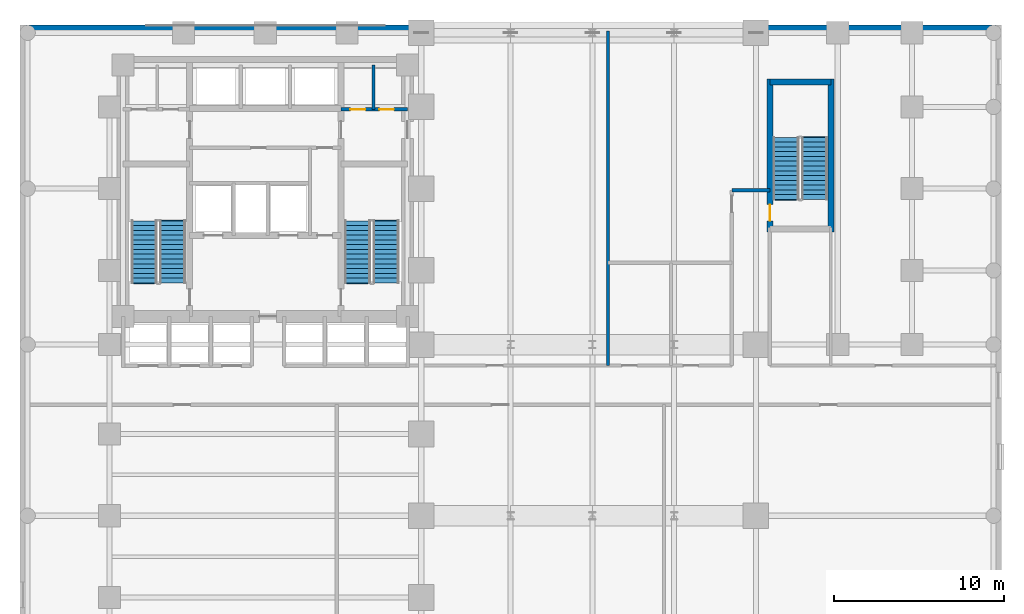
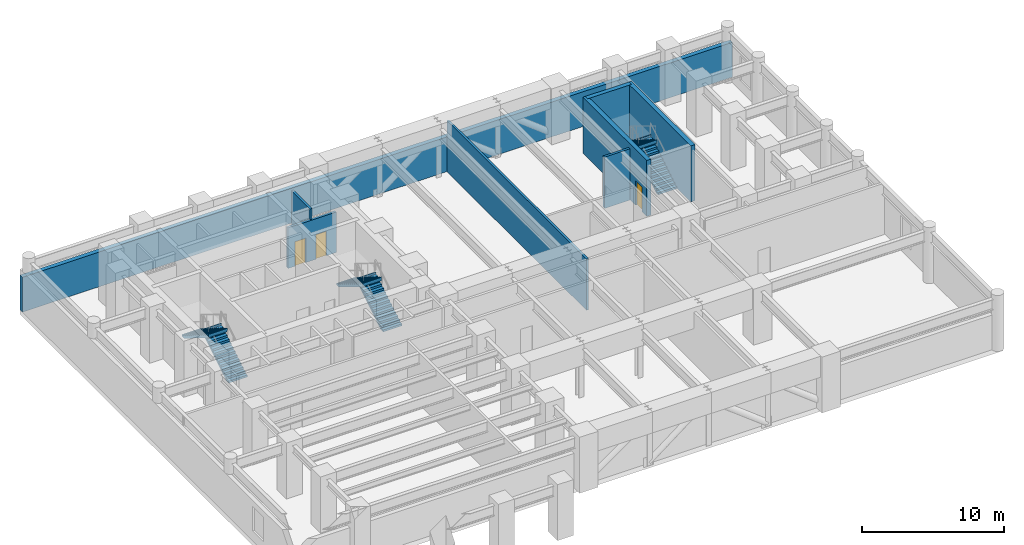
# One storey, part 5 of 8: 8 walls, 6 stair flights, 3 doors, 3 openings, 3 elements without a shape of their own.
"""IFC4 building model written with IfcOpenShell, lengths in metres."""

from ifc_helpers import new_model, si_unit, direction, frame, frame_2d, origin, place, context, subcontext, project, spatial, polyline, rectangle, outline, extrude, material, layer, layer_set, type_object, element, fill, aggregate, save


model = new_model("IFC4")

# Units and contexts
model_context = context("Model", 3, precision=1e-05, world=origin(), true_north=direction((0.0, 1.0)))
body_context = subcontext(model_context, "Body", "Model", "MODEL_VIEW")
ifc_project = project(units=[si_unit("LENGTHUNIT", "METRE"), si_unit("AREAUNIT", "SQUARE_METRE"), si_unit("VOLUMEUNIT", "CUBIC_METRE"), si_unit("PLANEANGLEUNIT", "RADIAN"), si_unit("MASSUNIT", "GRAM", prefix="KILO")], contexts=[model_context])

# Site, building, storey
site_placement = place(None, origin())
site = spatial("IfcSite", under=ifc_project, at=site_placement, CompositionType="ELEMENT")
building_placement = place(site_placement, origin())
building = spatial("IfcBuilding", under=site, at=building_placement, Name="Orvandelia Arch Residences", CompositionType="ELEMENT")
storey_placement = place(building_placement, frame((0.0, 0.0, 14.800048828125)))
storey = spatial("IfcBuildingStorey", under=building, at=storey_placement, Name="L03", CompositionType="ELEMENT", Elevation=14.800048828125)

# Wall, opening, door
ifc_material_1 = material(Name="Concrete C50/60", Category="concrete")
ifc_layer_1 = layer(ifc_material_1, 0.35009765625, Name="Concrete C50/60", Category="concrete")
ifc_layer_set_1 = layer_set([ifc_layer_1], Name="Concrete C50/60")
wall_type_1 = type_object("IfcWallType", Name="WL-CORE-350", PredefinedType="SHEAR", material=ifc_layer_set_1)
wall_1_placement = place(storey_placement, frame((44.02001953125, 35.864990234375, 0.0), z_axis=(0.0, 0.0, 1.0), x_axis=(0.0, 1.0, 0.0)))
wall_1 = element("IfcWall", 1, at=wall_1_placement, inside=storey, type_object=wall_type_1, Name="East Stair Core Shear Wall L03-W", PredefinedType="SHEAR", context=body_context, shape_type="SweptSolid", body=[
    extrude(rectangle(XDim=8.969970703125, YDim=0.35009765625, at=frame_2d((4.48486328125, 0.0))), origin(), (0.0, 0.0, 1.0), 4.800048828125),
])
opening_1_placement = place(wall_1_placement, frame((0.64990234375, 0.0, 0.0)))
opening_1 = element("IfcOpeningElement", 2, at=opening_1_placement, cuts=wall_1, Name="Opening D7", PredefinedType="OPENING", context=body_context, shape_type="SweptSolid", body=[
    extrude(rectangle(XDim=0.949951171875, YDim=2.10009765625, at=frame_2d((0.47509765625, 1.050048828125))), frame((0.0, 0.18505859375, 0.0), z_axis=(0.0, -1.0, 0.0), x_axis=(1.0, 0.0, 0.0)), (0.0, 0.0, 1.0), 0.3701171875),
])
ifc_material_2 = material(Name="Pressurised Stairwell Fire Door")
door_type_1 = type_object("IfcDoorType", Name="DR-STAIR-950", OperationType="NOTDEFINED", PredefinedType="DOOR", material=ifc_material_2)
door_1_placement = place(opening_1_placement, origin())
door_1 = element("IfcDoor", 3, at=door_1_placement, inside=storey, type_object=door_type_1, Name="East Stairwell ST-3 Fire Door L03", OperationType="SINGLE_SWING_LEFT", OverallHeight=2.10009765625, OverallWidth=0.949951171875, PredefinedType="DOOR", context=body_context, shape_type="SweptSolid", body=[
    extrude(rectangle(XDim=0.949951171875, YDim=2.10009765625, at=frame_2d((0.47509765625, 1.050048828125))), frame((0.0, 0.02490234375, 0.0), z_axis=(0.0, -1.0, 0.0), x_axis=(1.0, 0.0, 0.0)), (0.0, 0.0, 1.0), 0.050048828125),
])
fill(opening_1, door_1)

# Walls
wall_2_placement = place(storey_placement, frame((47.60009765625, 35.864990234375, 0.0), z_axis=(0.0, 0.0, 1.0), x_axis=(0.0, 1.0, 0.0)))
element("IfcWall", 4, at=wall_2_placement, inside=storey, type_object=wall_type_1, Name="East Stair Core Shear Wall L03-E", PredefinedType="SHEAR", context=body_context, shape_type="SweptSolid", body=[
    extrude(rectangle(XDim=8.969970703125, YDim=0.35009765625, at=frame_2d((4.48486328125, 0.0))), origin(), (0.0, 0.0, 1.0), 4.800048828125),
])
wall_3_placement = place(storey_placement, frame((44.02001953125, 44.659912109375, 0.0), z_axis=(0.0, 0.0, 1.0), x_axis=(1.0, 0.0, 0.0)))
element("IfcWall", 5, at=wall_3_placement, inside=storey, type_object=wall_type_1, Name="East Stair Core Shear Wall L03-N", PredefinedType="SHEAR", context=body_context, shape_type="SweptSolid", body=[
    extrude(rectangle(XDim=3.580078125, YDim=0.35009765625, at=frame_2d((1.7900390625, 0.0))), origin(), (0.0, 0.0, 1.0), 4.800048828125),
])
ifc_material_3 = material(Name="Fire-Rated Corridor Partition")
ifc_layer_2 = layer(ifc_material_3, 0.199951171875, Name="Fire-Rated Corridor Partition")
ifc_layer_set_2 = layer_set([ifc_layer_2], Name="Fire-Rated Corridor Partition")
wall_type_2 = type_object("IfcWallType", Name="WL-CORR-200", PredefinedType="PARTITIONING", material=ifc_layer_set_2)
wall_4_placement = place(storey_placement, frame((41.780029296875, 38.300048828125, 0.0), z_axis=(0.0, 0.0, 1.0), x_axis=(1.0, 0.0, 0.0)))
element("IfcWall", 6, at=wall_4_placement, inside=storey, type_object=wall_type_2, Name="Interior Partition Wall WL-L03-BRG-SN", PredefinedType="PARTITIONING", context=body_context, shape_type="SweptSolid", body=[
    extrude(rectangle(XDim=2.239990234375, YDim=0.199951171875, at=frame_2d((1.1201171875, 0.0))), origin(), (0.0, 0.0, 1.0), 4.39990234375),
])
ifc_material_4 = material(Name="Precast concrete C40/50", Category="concrete")
ifc_layer_3 = layer(ifc_material_4, 0.35009765625, Name="Precast concrete C40/50", Category="concrete")
ifc_layer_set_3 = layer_set([ifc_layer_3], Name="Precast concrete C40/50")
wall_type_3 = type_object("IfcWallType", Name="WL-EXT-POD-350", PredefinedType="STANDARD", material=ifc_layer_set_3)
wall_5_placement = place(storey_placement, frame((0.0, 47.824951171875, 0.0), z_axis=(0.0, 0.0, 1.0), x_axis=(1.0, 0.0, 0.0)))
element("IfcWall", 7, at=wall_5_placement, inside=storey, type_object=wall_type_3, Name="Coral-Limestone Precast Facade Wall L03-001", PredefinedType="STANDARD", context=body_context, shape_type="SweptSolid", body=[
    extrude(rectangle(XDim=57.60009765625, YDim=0.35009765625, at=frame_2d((28.800048828125, 0.0))), origin(), (0.0, 0.0, 1.0), 2.97998046875),
])

# Wall, openings, doors
ifc_material_5 = material(Name="Fire-Rated Shaft Enclosure Wall")
ifc_layer_4 = layer(ifc_material_5, 0.199951171875, Name="Fire-Rated Shaft Enclosure Wall")
ifc_layer_set_4 = layer_set([ifc_layer_4], Name="Fire-Rated Shaft Enclosure Wall")
wall_type_4 = type_object("IfcWallType", Name="WL-SHAFT-200", PredefinedType="POLYGONAL", material=ifc_layer_set_4)
wall_6_placement = place(storey_placement, frame((18.840087890625, 43.050048828125, 0.0), z_axis=(0.0, 0.0, 1.0), x_axis=(1.0, 0.0, 0.0)))
wall_6 = element("IfcWall", 8, at=wall_6_placement, inside=storey, type_object=wall_type_4, Name="Interior Partition Wall WL-L03-HLE-N", PredefinedType="POLYGONAL", context=body_context, shape_type="SweptSolid", body=[
    extrude(rectangle(XDim=3.909912109375, YDim=0.199951171875, at=frame_2d((1.955078125, 0.0))), origin(), (0.0, 0.0, 1.0), 3.47998046875),
])
opening_2_placement = place(wall_6_placement, frame((0.550048828125, 0.0, 0.0)))
opening_2 = element("IfcOpeningElement", 9, at=opening_2_placement, cuts=wall_6, Name="Opening D5", PredefinedType="OPENING", context=body_context, shape_type="SweptSolid", body=[
    extrude(rectangle(XDim=0.8798828125, YDim=2.10009765625, at=frame_2d((0.43994140625, 1.050048828125))), frame((0.0, 0.10986328125, 0.0), z_axis=(0.0, -1.0, 0.0), x_axis=(1.0, 0.0, 0.0)), (0.0, 0.0, 1.0), 0.219970703125),
])
opening_3_placement = place(wall_6_placement, frame((2.25, 0.0, 0.0)))
opening_3 = element("IfcOpeningElement", 10, at=opening_3_placement, cuts=wall_6, Name="Opening D4", PredefinedType="OPENING", context=body_context, shape_type="SweptSolid", body=[
    extrude(rectangle(XDim=0.860107421875, YDim=2.10009765625, at=frame_2d((0.43017578125, 1.050048828125))), frame((0.0, 0.10986328125, 0.0), z_axis=(0.0, -1.0, 0.0), x_axis=(1.0, 0.0, 0.0)), (0.0, 0.0, 1.0), 0.219970703125),
])
ifc_material_6 = material(Name="Painted Galvanised Steel Service Door", Category="steel")
door_type_2 = type_object("IfcDoorType", Name="DR-SRV-880", OperationType="NOTDEFINED", PredefinedType="DOOR", material=ifc_material_6)
door_2_placement = place(opening_2_placement, origin())
door_2 = element("IfcDoor", 11, at=door_2_placement, inside=storey, type_object=door_type_2, Name="DR-L03-CSB1", OperationType="SINGLE_SWING_LEFT", OverallHeight=2.10009765625, OverallWidth=0.8798828125, PredefinedType="DOOR", context=body_context, shape_type="SweptSolid", body=[
    extrude(rectangle(XDim=0.8798828125, YDim=2.10009765625, at=frame_2d((0.43994140625, 1.050048828125))), frame((0.0, 0.02490234375, 0.0), z_axis=(0.0, -1.0, 0.0), x_axis=(1.0, 0.0, 0.0)), (0.0, 0.0, 1.0), 0.050048828125),
])
fill(opening_2, door_2)
ifc_material_7 = material(Name="Moisture-Sealed Timber Bathroom Door", Category="wood")
door_type_3 = type_object("IfcDoorType", Name="DR-WET-900", OperationType="NOTDEFINED", PredefinedType="DOOR", material=ifc_material_7)
door_3_placement = place(opening_3_placement, origin())
door_3 = element("IfcDoor", 12, at=door_3_placement, inside=storey, type_object=door_type_3, Name="DR-L03-CSB2", OperationType="SINGLE_SWING_RIGHT", OverallHeight=2.10009765625, OverallWidth=0.860107421875, PredefinedType="DOOR", context=body_context, shape_type="SweptSolid", body=[
    extrude(rectangle(XDim=0.860107421875, YDim=2.10009765625, at=frame_2d((0.43017578125, 1.050048828125))), frame((0.0, 0.02490234375, 0.0), z_axis=(0.0, -1.0, 0.0), x_axis=(1.0, 0.0, 0.0)), (0.0, 0.0, 1.0), 0.050048828125),
])
fill(opening_3, door_3)

# Walls
ifc_material_8 = material(Name="Moisture-Resistant Plumbing Wall")
ifc_layer_5 = layer(ifc_material_8, 0.179931640625, Name="Moisture-Resistant Plumbing Wall")
ifc_layer_set_5 = layer_set([ifc_layer_5], Name="Moisture-Resistant Plumbing Wall")
wall_type_5 = type_object("IfcWallType", Name="WL-WET-180", PredefinedType="PLUMBINGWALL", material=ifc_layer_set_5)
wall_7_placement = place(storey_placement, frame((20.75, 43.050048828125, 0.0), z_axis=(0.0, 0.0, 1.0), x_axis=(0.0, 1.0, 0.0)))
element("IfcWall", 13, at=wall_7_placement, inside=storey, type_object=wall_type_5, Name="Interior Partition Wall WL-L03-CSB-1", PredefinedType="PLUMBINGWALL", context=body_context, shape_type="SweptSolid", body=[
    extrude(rectangle(XDim=2.599853515625, YDim=0.179931640625, at=frame_2d((1.2998046875, 0.0))), origin(), (0.0, 0.0, 1.0), 4.39990234375),
])
wall_8_placement = place(storey_placement, frame((34.52001953125, 28.02001953125, 0.0), z_axis=(0.0, 0.0, 1.0), x_axis=(0.0, 1.0, 0.0)))
element("IfcWall", 14, at=wall_8_placement, inside=storey, type_object=wall_type_5, Name="Interior Partition Wall WL-L03-ND1", PredefinedType="PLUMBINGWALL", context=body_context, shape_type="SweptSolid", body=[
    extrude(rectangle(XDim=19.619873046875, YDim=0.179931640625, at=frame_2d((9.81005859375, 0.0))), origin(), (0.0, 0.0, 1.0), 4.39990234375),
])

# Stair, stair flights
ifc_material_9 = material(Name="Concrete C40/50", Category="concrete")
stair_type = type_object("IfcStairType", Name="STAIR-RC-DOGLEG", PredefinedType="HALF_TURN_STAIR", material=ifc_material_9)
stair_1_placement = place(storey_placement, origin())
stair_1 = element("IfcStair", 15, at=stair_1_placement, inside=storey, type_object=stair_type, Name="L03 Protected Exit Stair ST-1", PredefinedType="HALF_TURN_STAIR")
stair_flight_type = type_object("IfcStairFlightType", Name="STFLT-RC-1520", PredefinedType="STRAIGHT", material=ifc_material_9)
stair_flight_1_placement = place(storey_placement, frame((8.9599609375, 32.8701171875, 0.0), z_axis=(0.0, 0.0, 1.0), x_axis=(0.0, 1.0, 0.0)))
stair_flight_1 = element("IfcStairFlight", 16, at=stair_flight_1_placement, type_object=stair_flight_type, Name="ST-1 flight 1", NumberOfRisers=14, NumberOfTreads=13, PredefinedType="STRAIGHT", RiserHeight=0.171428571, TreadLength=0.28, context=body_context, shape_type="SweptSolid", body=[
    extrude(outline(polyline([(0.0, 0.0), (0.0, 0.17138671875), (0.280029296875, 0.17138671875), (0.280029296875, 0.3427734375), (0.56005859375, 0.3427734375), (0.56005859375, 0.514404296875), (0.840087890625, 0.514404296875), (0.840087890625, 0.685791015625), (1.1201171875, 0.685791015625), (1.1201171875, 0.857177734375), (1.39990234375, 0.857177734375), (1.39990234375, 1.028564453125), (1.679931640625, 1.028564453125), (1.679931640625, 1.199951171875), (1.9599609375, 1.199951171875), (1.9599609375, 1.371337890625), (2.239990234375, 1.371337890625), (2.239990234375, 1.54296875), (2.52001953125, 1.54296875), (2.52001953125, 1.71435546875), (2.800048828125, 1.71435546875), (2.800048828125, 1.8857421875), (3.080078125, 1.8857421875), (3.080078125, 2.05712890625), (3.360107421875, 2.05712890625), (3.360107421875, 2.228515625), (3.639892578125, 2.228515625), (3.639892578125, 2.39990234375), (3.699951171875, 2.39990234375), (3.699951171875, 2.219970703125), (3.639892578125, 2.052734375), (0.287109375, 0.0), (0.0, 0.0)])), frame((0.0, 0.760009765625, 0.0), z_axis=(0.0, -1.0, 0.0), x_axis=(1.0, 0.0, 0.0)), (0.0, 0.0, 1.0), 1.52001953125),
])
stair_flight_2_placement = place(storey_placement, frame((7.2900390625, 36.510009765625, 2.39990234375), z_axis=(0.0, 0.0, 1.0), x_axis=(0.0, -1.0, 0.0)))
stair_flight_2 = element("IfcStairFlight", 17, at=stair_flight_2_placement, type_object=stair_flight_type, Name="ST-1 flight 2", NumberOfRisers=14, NumberOfTreads=13, PredefinedType="STRAIGHT", RiserHeight=0.171428571, TreadLength=0.28, context=body_context, shape_type="SweptSolid", body=[
    extrude(outline(polyline([(0.0, 0.0), (0.0, 0.17138671875), (0.280029296875, 0.17138671875), (0.280029296875, 0.3427734375), (0.56005859375, 0.3427734375), (0.56005859375, 0.514404296875), (0.840087890625, 0.514404296875), (0.840087890625, 0.685791015625), (1.1201171875, 0.685791015625), (1.1201171875, 0.857177734375), (1.39990234375, 0.857177734375), (1.39990234375, 1.028564453125), (1.679931640625, 1.028564453125), (1.679931640625, 1.199951171875), (1.9599609375, 1.199951171875), (1.9599609375, 1.371337890625), (2.239990234375, 1.371337890625), (2.239990234375, 1.54296875), (2.52001953125, 1.54296875), (2.52001953125, 1.71435546875), (2.800048828125, 1.71435546875), (2.800048828125, 1.8857421875), (3.080078125, 1.8857421875), (3.080078125, 2.05712890625), (3.360107421875, 2.05712890625), (3.360107421875, 2.228515625), (3.639892578125, 2.228515625), (3.639892578125, 2.39990234375), (3.699951171875, 2.39990234375), (3.699951171875, 2.219970703125), (3.639892578125, 2.052734375), (0.287109375, 0.0), (0.0, 0.0)])), frame((0.0, 0.760009765625, 0.0), z_axis=(0.0, -1.0, 0.0), x_axis=(1.0, 0.0, 0.0)), (0.0, 0.0, 1.0), 1.52001953125),
])
aggregate(stair_1, [stair_flight_1, stair_flight_2])

stair_2_placement = place(storey_placement, origin())
stair_2 = element("IfcStair", 18, at=stair_2_placement, inside=storey, type_object=stair_type, Name="L03 Protected Exit Stair ST-2", PredefinedType="HALF_TURN_STAIR")
stair_flight_3_placement = place(storey_placement, frame((21.489990234375, 32.8701171875, 0.0), z_axis=(0.0, 0.0, 1.0), x_axis=(0.0, 1.0, 0.0)))
stair_flight_3 = element("IfcStairFlight", 19, at=stair_flight_3_placement, type_object=stair_flight_type, Name="ST-2 flight 1", NumberOfRisers=14, NumberOfTreads=13, PredefinedType="STRAIGHT", RiserHeight=0.171428571, TreadLength=0.28, context=body_context, shape_type="SweptSolid", body=[
    extrude(outline(polyline([(0.0, 0.0), (0.0, 0.17138671875), (0.280029296875, 0.17138671875), (0.280029296875, 0.3427734375), (0.56005859375, 0.3427734375), (0.56005859375, 0.514404296875), (0.840087890625, 0.514404296875), (0.840087890625, 0.685791015625), (1.1201171875, 0.685791015625), (1.1201171875, 0.857177734375), (1.39990234375, 0.857177734375), (1.39990234375, 1.028564453125), (1.679931640625, 1.028564453125), (1.679931640625, 1.199951171875), (1.9599609375, 1.199951171875), (1.9599609375, 1.371337890625), (2.239990234375, 1.371337890625), (2.239990234375, 1.54296875), (2.52001953125, 1.54296875), (2.52001953125, 1.71435546875), (2.800048828125, 1.71435546875), (2.800048828125, 1.8857421875), (3.080078125, 1.8857421875), (3.080078125, 2.05712890625), (3.360107421875, 2.05712890625), (3.360107421875, 2.228515625), (3.639892578125, 2.228515625), (3.639892578125, 2.39990234375), (3.699951171875, 2.39990234375), (3.699951171875, 2.219970703125), (3.639892578125, 2.052734375), (0.287109375, 0.0), (0.0, 0.0)])), frame((0.0, 0.760009765625, 0.0), z_axis=(0.0, -1.0, 0.0), x_axis=(1.0, 0.0, 0.0)), (0.0, 0.0, 1.0), 1.52001953125),
])
stair_flight_4_placement = place(storey_placement, frame((19.820068359375, 36.510009765625, 2.39990234375), z_axis=(0.0, 0.0, 1.0), x_axis=(0.0, -1.0, 0.0)))
stair_flight_4 = element("IfcStairFlight", 20, at=stair_flight_4_placement, type_object=stair_flight_type, Name="ST-2 flight 2", NumberOfRisers=14, NumberOfTreads=13, PredefinedType="STRAIGHT", RiserHeight=0.171428571, TreadLength=0.28, context=body_context, shape_type="SweptSolid", body=[
    extrude(outline(polyline([(0.0, 0.0), (0.0, 0.17138671875), (0.280029296875, 0.17138671875), (0.280029296875, 0.3427734375), (0.56005859375, 0.3427734375), (0.56005859375, 0.514404296875), (0.840087890625, 0.514404296875), (0.840087890625, 0.685791015625), (1.1201171875, 0.685791015625), (1.1201171875, 0.857177734375), (1.39990234375, 0.857177734375), (1.39990234375, 1.028564453125), (1.679931640625, 1.028564453125), (1.679931640625, 1.199951171875), (1.9599609375, 1.199951171875), (1.9599609375, 1.371337890625), (2.239990234375, 1.371337890625), (2.239990234375, 1.54296875), (2.52001953125, 1.54296875), (2.52001953125, 1.71435546875), (2.800048828125, 1.71435546875), (2.800048828125, 1.8857421875), (3.080078125, 1.8857421875), (3.080078125, 2.05712890625), (3.360107421875, 2.05712890625), (3.360107421875, 2.228515625), (3.639892578125, 2.228515625), (3.639892578125, 2.39990234375), (3.699951171875, 2.39990234375), (3.699951171875, 2.219970703125), (3.639892578125, 2.052734375), (0.287109375, 0.0), (0.0, 0.0)])), frame((0.0, 0.760009765625, 0.0), z_axis=(0.0, -1.0, 0.0), x_axis=(1.0, 0.0, 0.0)), (0.0, 0.0, 1.0), 1.52001953125),
])
aggregate(stair_2, [stair_flight_3, stair_flight_4])

stair_3_placement = place(storey_placement, origin())
stair_3 = element("IfcStair", 21, at=stair_3_placement, inside=storey, type_object=stair_type, Name="L03 East Wing Exit Stair ST-3", PredefinedType="HALF_TURN_STAIR")
stair_flight_5_placement = place(storey_placement, frame((46.639892578125, 37.77001953125, 0.0), z_axis=(0.0, 0.0, 1.0), x_axis=(0.0, 1.0, 0.0)))
stair_flight_5 = element("IfcStairFlight", 22, at=stair_flight_5_placement, type_object=stair_flight_type, Name="ST-3 flight 1", NumberOfRisers=14, NumberOfTreads=13, PredefinedType="STRAIGHT", RiserHeight=0.171428571, TreadLength=0.28, context=body_context, shape_type="SweptSolid", body=[
    extrude(outline(polyline([(0.0, 0.0), (0.0, 0.17138671875), (0.280029296875, 0.17138671875), (0.280029296875, 0.3427734375), (0.56005859375, 0.3427734375), (0.56005859375, 0.514404296875), (0.840087890625, 0.514404296875), (0.840087890625, 0.685791015625), (1.1201171875, 0.685791015625), (1.1201171875, 0.857177734375), (1.39990234375, 0.857177734375), (1.39990234375, 1.028564453125), (1.679931640625, 1.028564453125), (1.679931640625, 1.199951171875), (1.9599609375, 1.199951171875), (1.9599609375, 1.371337890625), (2.239990234375, 1.371337890625), (2.239990234375, 1.54296875), (2.52001953125, 1.54296875), (2.52001953125, 1.71435546875), (2.800048828125, 1.71435546875), (2.800048828125, 1.8857421875), (3.080078125, 1.8857421875), (3.080078125, 2.05712890625), (3.360107421875, 2.05712890625), (3.360107421875, 2.228515625), (3.639892578125, 2.228515625), (3.639892578125, 2.39990234375), (3.699951171875, 2.39990234375), (3.699951171875, 2.219970703125), (3.639892578125, 2.052734375), (0.287109375, 0.0), (0.0, 0.0)])), frame((0.0, 0.760009765625, 0.0), z_axis=(0.0, -1.0, 0.0), x_axis=(1.0, 0.0, 0.0)), (0.0, 0.0, 1.0), 1.52001953125),
])
stair_flight_6_placement = place(storey_placement, frame((44.969970703125, 41.409912109375, 2.39990234375), z_axis=(0.0, 0.0, 1.0), x_axis=(0.0, -1.0, 0.0)))
stair_flight_6 = element("IfcStairFlight", 23, at=stair_flight_6_placement, type_object=stair_flight_type, Name="ST-3 flight 2", NumberOfRisers=14, NumberOfTreads=13, PredefinedType="STRAIGHT", RiserHeight=0.171428571, TreadLength=0.28, context=body_context, shape_type="SweptSolid", body=[
    extrude(outline(polyline([(0.0, 0.0), (0.0, 0.17138671875), (0.280029296875, 0.17138671875), (0.280029296875, 0.3427734375), (0.56005859375, 0.3427734375), (0.56005859375, 0.514404296875), (0.840087890625, 0.514404296875), (0.840087890625, 0.685791015625), (1.1201171875, 0.685791015625), (1.1201171875, 0.857177734375), (1.39990234375, 0.857177734375), (1.39990234375, 1.028564453125), (1.679931640625, 1.028564453125), (1.679931640625, 1.199951171875), (1.9599609375, 1.199951171875), (1.9599609375, 1.371337890625), (2.239990234375, 1.371337890625), (2.239990234375, 1.54296875), (2.52001953125, 1.54296875), (2.52001953125, 1.71435546875), (2.800048828125, 1.71435546875), (2.800048828125, 1.8857421875), (3.080078125, 1.8857421875), (3.080078125, 2.05712890625), (3.360107421875, 2.05712890625), (3.360107421875, 2.228515625), (3.639892578125, 2.228515625), (3.639892578125, 2.39990234375), (3.699951171875, 2.39990234375), (3.699951171875, 2.219970703125), (3.639892578125, 2.052734375), (0.287109375, 0.0), (0.0, 0.0)])), frame((0.0, 0.760009765625, 0.0), z_axis=(0.0, -1.0, 0.0), x_axis=(1.0, 0.0, 0.0)), (0.0, 0.0, 1.0), 1.52001953125),
])
aggregate(stair_3, [stair_flight_5, stair_flight_6])

save(model, "model.ifc")
